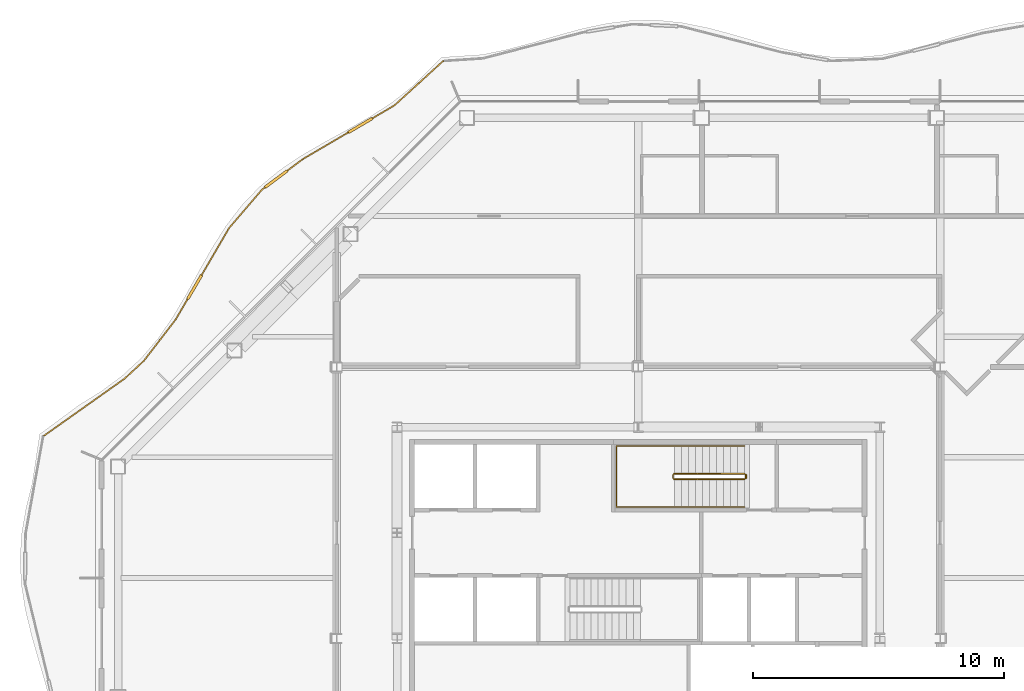
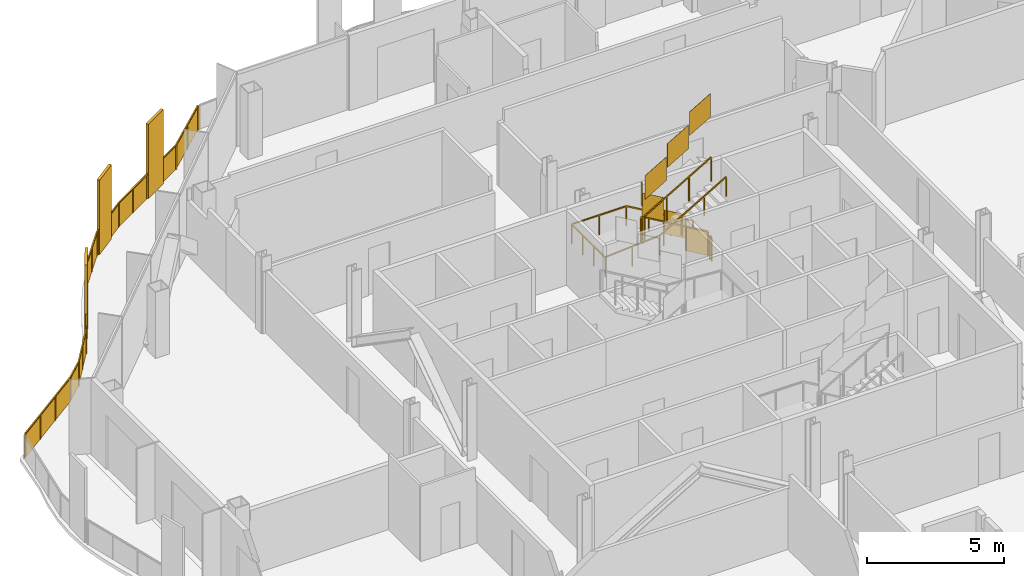
# One storey, part 18 of 19: 4 railings.
"""IFC4 building model written with IfcOpenShell, lengths in metres."""

from ifc_helpers import new_model, si_unit, direction, frame, origin, origin_2d, place, context, subcontext, project, spatial, polyline, rectangle, outline, extrude, material, type_object, element, save


model = new_model("IFC4")

# Units and contexts
model_context = context("Model", 3, precision=1e-05, world=origin(), true_north=direction((0.0, 1.0)))
body_context = subcontext(model_context, "Body", "Model", "MODEL_VIEW")
ifc_project = project(units=[si_unit("LENGTHUNIT", "METRE"), si_unit("AREAUNIT", "SQUARE_METRE"), si_unit("VOLUMEUNIT", "CUBIC_METRE"), si_unit("PLANEANGLEUNIT", "RADIAN"), si_unit("MASSUNIT", "GRAM", prefix="KILO")], contexts=[model_context])

# Site, building, storey
site_placement = place(None, origin())
site = spatial("IfcSite", under=ifc_project, at=site_placement, CompositionType="ELEMENT")
building_placement = place(site_placement, origin())
building = spatial("IfcBuilding", under=site, at=building_placement, Name="Cairn Pilgrim Tower", CompositionType="ELEMENT")
storey_placement = place(building_placement, frame((0.0, 0.0, 201.0)))
storey = spatial("IfcBuildingStorey", under=building, at=storey_placement, Name="L51", CompositionType="ELEMENT", Elevation=201.0)

# Railings
ifc_material_1 = material(Name="Bronze anodised aluminium rail, posts and fin screens with laminated glass infill", Category="aluminium")
railing_type_1 = type_object("IfcRailingType", Name="BALCONY GUARD WITH FIN SCREENS", PredefinedType="GUARDRAIL", material=ifc_material_1)
railing_1_placement = place(storey_placement, frame((-0.564453125, 25.36669921875, 0.0)))
element("IfcRailing", 1, at=railing_1_placement, inside=storey, type_object=railing_type_1, Name="Balcony guard BGF-6 with fin screens", PredefinedType="GUARDRAIL", context=body_context, shape_type="SweptSolid", body=[
    extrude(rectangle(XDim=0.050048828125, YDim=0.050048828125, at=origin_2d()), frame((0.0, 0.0, 1.0751953125), z_axis=(-0.739347334397, -0.673324230308, 0.0), x_axis=(0.673324230308, -0.739347334397, 0.0)), (0.0, 0.0, 1.0), 2.629150390625),
    extrude(rectangle(XDim=1.10009765625, YDim=0.110107421875, at=origin_2d()), frame((-3.29833984375, -2.564208984375, 0.0), z_axis=(0.0, 0.0, 1.0), x_axis=(-0.862710164716, -0.505698696553, 0.0)), (0.0, 0.0, 1.0), 3.300048828125),
    extrude(rectangle(XDim=0.050048828125, YDim=0.050048828125, at=origin_2d()), frame((-1.94384765625, -1.770263671875, 1.0751953125), z_axis=(-0.862710164716, -0.505698696553, 0.0), x_axis=(0.505698696553, -0.862710164716, 0.0)), (0.0, 0.0, 1.0), 1.02001953125),
    extrude(rectangle(XDim=0.050048828125, YDim=0.050048828125, at=origin_2d()), frame((-3.772705078125, -2.84228515625, 1.0751953125), z_axis=(-0.862710164716, -0.505698696553, 0.0), x_axis=(0.505698696553, -0.862710164716, 0.0)), (0.0, 0.0, 1.0), 2.0966796875),
    extrude(rectangle(XDim=1.10009765625, YDim=0.110107421875, at=origin_2d()), frame((-6.64892578125, -4.70068359375, 0.0), z_axis=(0.0, 0.0, 1.0), x_axis=(-0.800863929191, -0.598846363369, 0.0)), (0.0, 0.0, 1.0), 3.300048828125),
    extrude(rectangle(XDim=0.050048828125, YDim=0.050048828125, at=origin_2d()), frame((-5.58154296875, -3.902587890625, 1.0751953125), z_axis=(-0.800863929191, -0.598846363369, 0.0), x_axis=(0.598846363369, -0.800863929191, 0.0)), (0.0, 0.0, 1.0), 0.78271484375),
    extrude(rectangle(XDim=0.050048828125, YDim=0.050048828125, at=origin_2d()), frame((-7.08935546875, -5.030029296875, 1.0751953125), z_axis=(-0.800863929191, -0.598846363369, 0.0), x_axis=(0.598846363369, -0.800863929191, 0.0)), (0.0, 0.0, 1.0), 0.150146484375),
    extrude(rectangle(XDim=0.050048828125, YDim=0.050048828125, at=origin_2d()), frame((-7.20947265625, -5.119873046875, 1.0751953125), z_axis=(-0.650661475713, -0.759367924015, 0.0), x_axis=(0.759367924015, -0.650661475713, 0.0)), (0.0, 0.0, 1.0), 2.01220703125),
    extrude(rectangle(XDim=1.10009765625, YDim=0.110107421875, at=origin_2d()), frame((-9.890380859375, -8.99755859375, 0.0), z_axis=(0.0, 0.0, 1.0), x_axis=(-0.504141594648, -0.863621012103, 0.0)), (0.0, 0.0, 1.0), 3.300048828125),
    extrude(rectangle(XDim=0.050048828125, YDim=0.050048828125, at=origin_2d()), frame((-8.518798828125, -6.64794921875, 1.0751953125), z_axis=(-0.504141594648, -0.863621012103, 0.0), x_axis=(0.863621012103, -0.504141594648, 0.0)), (0.0, 0.0, 1.0), 2.170654296875),
    extrude(rectangle(XDim=0.050048828125, YDim=0.050048828125, at=origin_2d()), frame((-10.167724609375, -9.47265625, 1.0751953125), z_axis=(-0.504141594648, -0.863621012103, 0.0), x_axis=(0.863621012103, -0.504141594648, 0.0)), (0.0, 0.0, 1.0), 0.9365234375),
    extrude(rectangle(XDim=0.050048828125, YDim=0.050048828125, at=origin_2d()), frame((-10.639892578125, -10.281494140625, 1.0751953125), z_axis=(-0.610057419706, -0.792357207742, 0.0), x_axis=(0.792357207742, -0.610057419706, 0.0)), (0.0, 0.0, 1.0), 2.07568359375),
    extrude(rectangle(XDim=0.050048828125, YDim=0.050048828125, at=origin_2d()), frame((-11.90625, -11.92626953125, 1.0751953125), z_axis=(-0.733327659899, -0.679875388014, 0.0), x_axis=(0.679875388014, -0.733327659899, 0.0)), (0.0, 0.0, 1.0), 1.041259765625),
    extrude(rectangle(XDim=0.050048828125, YDim=0.050048828125, at=origin_2d()), frame((-12.669921875, -12.63427734375, 1.0751953125), z_axis=(-0.816041617773, -0.577993147072, 0.0), x_axis=(0.577993147072, -0.816041617773, 0.0)), (0.0, 0.0, 1.0), 3.919921875),
    extrude(rectangle(XDim=0.050048828125, YDim=0.050048828125, at=origin_2d()), origin(), (0.0, 0.0, 1.0), 1.050048828125),
    extrude(rectangle(XDim=0.050048828125, YDim=0.050048828125, at=origin_2d()), frame((-0.971923828125, -0.885009765625, 0.0)), (0.0, 0.0, 1.0), 1.050048828125),
    extrude(rectangle(XDim=0.050048828125, YDim=0.050048828125, at=origin_2d()), frame((-1.94384765625, -1.770263671875, 0.0)), (0.0, 0.0, 1.0), 1.050048828125),
    extrude(rectangle(XDim=0.050048828125, YDim=0.050048828125, at=origin_2d()), frame((-2.80224609375, -2.2734375, 0.0)), (0.0, 0.0, 1.0), 1.050048828125),
    extrude(rectangle(XDim=0.050048828125, YDim=0.050048828125, at=origin_2d()), frame((-3.79443359375, -2.85498046875, 0.0)), (0.0, 0.0, 1.0), 1.050048828125),
    extrude(rectangle(XDim=0.050048828125, YDim=0.050048828125, at=origin_2d()), frame((-4.68798828125, -3.378662109375, 0.0)), (0.0, 0.0, 1.0), 1.050048828125),
    extrude(rectangle(XDim=0.050048828125, YDim=0.050048828125, at=origin_2d()), frame((-5.58154296875, -3.902587890625, 0.0)), (0.0, 0.0, 1.0), 1.050048828125),
    extrude(rectangle(XDim=0.050048828125, YDim=0.050048828125, at=origin_2d()), frame((-6.188232421875, -4.356201171875, 0.0)), (0.0, 0.0, 1.0), 1.050048828125),
    extrude(rectangle(XDim=0.050048828125, YDim=0.050048828125, at=origin_2d()), frame((-7.109375, -5.044921875, 0.0)), (0.0, 0.0, 1.0), 1.050048828125),
    extrude(rectangle(XDim=0.050048828125, YDim=0.050048828125, at=origin_2d()), frame((-7.20947265625, -5.119873046875, 0.0)), (0.0, 0.0, 1.0), 1.050048828125),
    extrude(rectangle(XDim=0.050048828125, YDim=0.050048828125, at=origin_2d()), frame((-7.8642578125, -5.8837890625, 0.0)), (0.0, 0.0, 1.0), 1.050048828125),
    extrude(rectangle(XDim=0.050048828125, YDim=0.050048828125, at=origin_2d()), frame((-8.518798828125, -6.64794921875, 0.0)), (0.0, 0.0, 1.0), 1.050048828125),
    extrude(rectangle(XDim=0.050048828125, YDim=0.050048828125, at=origin_2d()), frame((-9.0595703125, -7.574462890625, 0.0)), (0.0, 0.0, 1.0), 1.050048828125),
    extrude(rectangle(XDim=0.050048828125, YDim=0.050048828125, at=origin_2d()), frame((-9.6005859375, -8.5009765625, 0.0)), (0.0, 0.0, 1.0), 1.050048828125),
    extrude(rectangle(XDim=0.050048828125, YDim=0.050048828125, at=origin_2d()), frame((-10.180419921875, -9.494140625, 0.0)), (0.0, 0.0, 1.0), 1.050048828125),
    extrude(rectangle(XDim=0.050048828125, YDim=0.050048828125, at=origin_2d()), frame((-10.639892578125, -10.281494140625, 0.0)), (0.0, 0.0, 1.0), 1.050048828125),
    extrude(rectangle(XDim=0.050048828125, YDim=0.050048828125, at=origin_2d()), frame((-11.27294921875, -11.10400390625, 0.0)), (0.0, 0.0, 1.0), 1.050048828125),
    extrude(rectangle(XDim=0.050048828125, YDim=0.050048828125, at=origin_2d()), frame((-11.90625, -11.92626953125, 0.0)), (0.0, 0.0, 1.0), 1.050048828125),
    extrude(rectangle(XDim=0.050048828125, YDim=0.050048828125, at=origin_2d()), frame((-12.669921875, -12.63427734375, 0.0)), (0.0, 0.0, 1.0), 1.050048828125),
    extrude(rectangle(XDim=0.050048828125, YDim=0.050048828125, at=origin_2d()), frame((-13.736083984375, -13.389404296875, 0.0)), (0.0, 0.0, 1.0), 1.050048828125),
    extrude(rectangle(XDim=0.050048828125, YDim=0.050048828125, at=origin_2d()), frame((-14.802490234375, -14.144775390625, 0.0)), (0.0, 0.0, 1.0), 1.050048828125),
    extrude(rectangle(XDim=0.050048828125, YDim=0.050048828125, at=origin_2d()), frame((-15.86865234375, -14.89990234375, 0.0)), (0.0, 0.0, 1.0), 1.050048828125),
    extrude(outline(polyline([(0.02490234375, 0.0), (1.28955078125, 0.0), (1.28955078125, 1.050048828125), (0.02490234375, 1.050048828125), (0.02490234375, 0.0)])), frame((0.00390625, -0.00439453125, 0.0), z_axis=(-0.673324230308, 0.739347334397, 0.0), x_axis=(-0.739347334397, -0.673324230308, 0.0)), (0.0, 0.0, 1.0), 0.011962890625),
    extrude(outline(polyline([(0.02490234375, 0.0), (1.28955078125, 0.0), (1.28955078125, 1.050048828125), (0.02490234375, 1.050048828125), (0.02490234375, 0.0)])), frame((-0.968017578125, -0.8896484375, 0.0), z_axis=(-0.673324230308, 0.739347334397, 0.0), x_axis=(-0.739347334397, -0.673324230308, 0.0)), (0.0, 0.0, 1.0), 0.011962890625),
    extrude(outline(polyline([(0.02490234375, 0.0), (0.969970703125, 0.0), (0.969970703125, 1.050048828125), (0.02490234375, 1.050048828125), (0.02490234375, 0.0)])), frame((-1.94091796875, -1.775390625, 0.0), z_axis=(-0.505698696553, 0.862710164716, 0.0), x_axis=(-0.862710164716, -0.505698696553, 0.0)), (0.0, 0.0, 1.0), 0.011962890625),
    extrude(outline(polyline([(0.02490234375, 0.0), (1.0107421875, 0.0), (1.0107421875, 1.050048828125), (0.02490234375, 1.050048828125), (0.02490234375, 0.0)])), frame((-3.791259765625, -2.860107421875, 0.0), z_axis=(-0.505698696553, 0.862710164716, 0.0), x_axis=(-0.862710164716, -0.505698696553, 0.0)), (0.0, 0.0, 1.0), 0.011962890625),
    extrude(outline(polyline([(0.02490234375, 0.0), (1.0107421875, 0.0), (1.0107421875, 1.050048828125), (0.02490234375, 1.050048828125), (0.02490234375, 0.0)])), frame((-4.684814453125, -3.384033203125, 0.0), z_axis=(-0.505698696553, 0.862710164716, 0.0), x_axis=(-0.862710164716, -0.505698696553, 0.0)), (0.0, 0.0, 1.0), 0.011962890625),
    extrude(outline(polyline([(0.02490234375, 0.0), (0.732666015625, 0.0), (0.732666015625, 1.050048828125), (0.02490234375, 1.050048828125), (0.02490234375, 0.0)])), frame((-5.577880859375, -3.907470703125, 0.0), z_axis=(-0.598846363369, 0.800863929191, 0.0), x_axis=(-0.800863929191, -0.598846363369, 0.0)), (0.0, 0.0, 1.0), 0.011962890625),
    extrude(outline(polyline([(0.02490234375, 0.0), (0.10009765625, 0.0), (0.10009765625, 1.050048828125), (0.02490234375, 1.050048828125), (0.02490234375, 0.0)])), frame((-7.105712890625, -5.0498046875, 0.0), z_axis=(-0.598846363369, 0.800863929191, 0.0), x_axis=(-0.800863929191, -0.598846363369, 0.0)), (0.0, 0.0, 1.0), 0.011962890625),
    extrude(outline(polyline([(0.02490234375, 0.0), (0.981201171875, 0.0), (0.981201171875, 1.050048828125), (0.02490234375, 1.050048828125), (0.02490234375, 0.0)])), frame((-7.204833984375, -5.123779296875, 0.0), z_axis=(-0.759367924015, 0.650661475713, 0.0), x_axis=(-0.650661475713, -0.759367924015, 0.0)), (0.0, 0.0, 1.0), 0.011962890625),
    extrude(outline(polyline([(0.02490234375, 0.0), (0.981201171875, 0.0), (0.981201171875, 1.050048828125), (0.02490234375, 1.050048828125), (0.02490234375, 0.0)])), frame((-7.859619140625, -5.8876953125, 0.0), z_axis=(-0.759367924015, 0.650661475713, 0.0), x_axis=(-0.650661475713, -0.759367924015, 0.0)), (0.0, 0.0, 1.0), 0.011962890625),
    extrude(outline(polyline([(0.02490234375, 0.0), (1.0478515625, 0.0), (1.0478515625, 1.050048828125), (0.02490234375, 1.050048828125), (0.02490234375, 0.0)])), frame((-8.513671875, -6.65087890625, 0.0), z_axis=(-0.863621012103, 0.504141594648, 0.0), x_axis=(-0.504141594648, -0.863621012103, 0.0)), (0.0, 0.0, 1.0), 0.011962890625),
    extrude(outline(polyline([(0.02490234375, 0.0), (1.0478515625, 0.0), (1.0478515625, 1.050048828125), (0.02490234375, 1.050048828125), (0.02490234375, 0.0)])), frame((-9.054443359375, -7.577392578125, 0.0), z_axis=(-0.863621012103, 0.504141594648, 0.0), x_axis=(-0.504141594648, -0.863621012103, 0.0)), (0.0, 0.0, 1.0), 0.011962890625),
    extrude(outline(polyline([(0.02490234375, 0.0), (0.886474609375, 0.0), (0.886474609375, 1.050048828125), (0.02490234375, 1.050048828125), (0.02490234375, 0.0)])), frame((-10.17529296875, -9.497314453125, 0.0), z_axis=(-0.863621012103, 0.504141594648, 0.0), x_axis=(-0.504141594648, -0.863621012103, 0.0)), (0.0, 0.0, 1.0), 0.011962890625),
    extrude(outline(polyline([(0.02490234375, 0.0), (1.012939453125, 0.0), (1.012939453125, 1.050048828125), (0.02490234375, 1.050048828125), (0.02490234375, 0.0)])), frame((-10.63525390625, -10.28515625, 0.0), z_axis=(-0.792357207742, 0.610057419706, 0.0), x_axis=(-0.610057419706, -0.792357207742, 0.0)), (0.0, 0.0, 1.0), 0.011962890625),
    extrude(outline(polyline([(0.02490234375, 0.0), (1.012939453125, 0.0), (1.012939453125, 1.050048828125), (0.02490234375, 1.050048828125), (0.02490234375, 0.0)])), frame((-11.268310546875, -11.107421875, 0.0), z_axis=(-0.792357207742, 0.610057419706, 0.0), x_axis=(-0.610057419706, -0.792357207742, 0.0)), (0.0, 0.0, 1.0), 0.011962890625),
    extrude(outline(polyline([(0.02490234375, 0.0), (1.016357421875, 0.0), (1.016357421875, 1.050048828125), (0.02490234375, 1.050048828125), (0.02490234375, 0.0)])), frame((-11.902099609375, -11.9306640625, 0.0), z_axis=(-0.679875388014, 0.733327659899, 0.0), x_axis=(-0.733327659899, -0.679875388014, 0.0)), (0.0, 0.0, 1.0), 0.011962890625),
    extrude(outline(polyline([(0.02490234375, 0.0), (1.281494140625, 0.0), (1.281494140625, 1.050048828125), (0.02490234375, 1.050048828125), (0.02490234375, 0.0)])), frame((-12.66650390625, -12.63916015625, 0.0), z_axis=(-0.577993147072, 0.816041617773, 0.0), x_axis=(-0.816041617773, -0.577993147072, 0.0)), (0.0, 0.0, 1.0), 0.011962890625),
    extrude(outline(polyline([(0.02490234375, 0.0), (1.281494140625, 0.0), (1.281494140625, 1.050048828125), (0.02490234375, 1.050048828125), (0.02490234375, 0.0)])), frame((-13.732666015625, -13.394287109375, 0.0), z_axis=(-0.577993147072, 0.816041617773, 0.0), x_axis=(-0.816041617773, -0.577993147072, 0.0)), (0.0, 0.0, 1.0), 0.011962890625),
    extrude(outline(polyline([(0.02490234375, 0.0), (1.281494140625, 0.0), (1.281494140625, 1.050048828125), (0.02490234375, 1.050048828125), (0.02490234375, 0.0)])), frame((-14.799072265625, -14.149658203125, 0.0), z_axis=(-0.577993147072, 0.816041617773, 0.0), x_axis=(-0.816041617773, -0.577993147072, 0.0)), (0.0, 0.0, 1.0), 0.011962890625),
])
ifc_material_2 = material(Name="Painted steel", Category="steel")
railing_type_2 = type_object("IfcRailingType", Name="STAIR GUARD 1100", PredefinedType="GUARDRAIL", material=ifc_material_2)
railing_2_placement = place(storey_placement, frame((11.425048828125, 8.949951171875, 0.16357421875)))
element("IfcRailing", 2, at=railing_2_placement, inside=storey, type_object=railing_type_2, Name="L51 ST-C stair guard 1", PredefinedType="GUARDRAIL", context=body_context, shape_type="SweptSolid", body=[
    extrude(rectangle(XDim=0.048095703125, YDim=0.048095703125, at=origin_2d()), frame((0.0, 0.0, 1.076171875), z_axis=(-0.863360870873, 0.0, 0.504586966384), x_axis=(0.0, -1.0, 0.0)), (0.0, 0.0, 1.0), 3.2431640625),
    extrude(rectangle(XDim=0.048095703125, YDim=0.048095703125, at=origin_2d()), frame((-2.800048828125, 0.0, 2.71240234375), z_axis=(-0.707106781187, -0.707106781187, 0.0), x_axis=(0.707106781187, -0.707106781187, 0.0)), (0.0, 0.0, 1.0), 0.07080078125),
    extrude(rectangle(XDim=0.048095703125, YDim=0.048095703125, at=origin_2d()), frame((-2.85009765625, -0.050048828125, 2.71240234375), z_axis=(0.0, -1.0, 0.0), x_axis=(1.0, 0.0, 0.0)), (0.0, 0.0, 1.0), 0.125),
    extrude(rectangle(XDim=0.048095703125, YDim=0.048095703125, at=origin_2d()), frame((-2.85009765625, -0.175048828125, 2.71240234375), z_axis=(0.280916556609, -0.279546231943, 0.91811752648), x_axis=(0.705375805398, 0.708833529934, 0.0)), (0.0, 0.0, 1.0), 0.17822265625),
    extrude(rectangle(XDim=0.048095703125, YDim=0.048095703125, at=origin_2d()), frame((-2.800048828125, -0.224853515625, 2.8759765625), z_axis=(0.863360870873, 0.0, 0.504586966384), x_axis=(0.0, 1.0, 0.0)), (0.0, 0.0, 1.0), 3.2431640625),
    extrude(rectangle(XDim=0.0419921875, YDim=0.0419921875, at=origin_2d()), origin(), (0.0, 0.0, 1.0), 1.052001953125),
    extrude(rectangle(XDim=0.0419921875, YDim=0.0419921875, at=origin_2d()), frame((-0.933349609375, 0.0, 0.54541015625)), (0.0, 0.0, 1.0), 1.052001953125),
    extrude(rectangle(XDim=0.0419921875, YDim=0.0419921875, at=origin_2d()), frame((-1.86669921875, 0.0, 1.091064453125)), (0.0, 0.0, 1.0), 1.052001953125),
    extrude(rectangle(XDim=0.0419921875, YDim=0.0419921875, at=origin_2d()), frame((-2.800048828125, 0.0, 1.636474609375)), (0.0, 0.0, 1.0), 1.052001953125),
    extrude(rectangle(XDim=0.0419921875, YDim=0.0419921875, at=origin_2d()), frame((-2.85009765625, -0.050048828125, 1.636474609375)), (0.0, 0.0, 1.0), 1.052001953125),
    extrude(rectangle(XDim=0.0419921875, YDim=0.0419921875, at=origin_2d()), frame((-2.85009765625, -0.175048828125, 1.636474609375)), (0.0, 0.0, 1.0), 1.052001953125),
    extrude(rectangle(XDim=0.0419921875, YDim=0.0419921875, at=origin_2d()), frame((-2.800048828125, -0.224853515625, 1.800048828125)), (0.0, 0.0, 1.0), 1.052001953125),
    extrude(rectangle(XDim=0.0419921875, YDim=0.0419921875, at=origin_2d()), frame((-1.86669921875, -0.224853515625, 2.345458984375)), (0.0, 0.0, 1.0), 1.052001953125),
    extrude(rectangle(XDim=0.0419921875, YDim=0.0419921875, at=origin_2d()), frame((-0.933349609375, -0.224853515625, 2.89111328125)), (0.0, 0.0, 1.0), 1.052001953125),
    extrude(rectangle(XDim=0.0419921875, YDim=0.0419921875, at=origin_2d()), frame((0.0, -0.224853515625, 3.4365234375)), (0.0, 0.0, 1.0), 1.052001953125),
    extrude(outline(polyline([(0.02099609375, 0.01220703125), (0.912353515625, 0.533203125), (0.912353515625, 1.585205078125), (0.02099609375, 1.064208984375), (0.02099609375, 0.01220703125)])), frame((0.0, -0.005859375, 0.0), z_axis=(0.0, 1.0, 0.0), x_axis=(-1.0, 0.0, 0.0)), (0.0, 0.0, 1.0), 0.011962890625),
    extrude(outline(polyline([(0.02099609375, 0.557861328125), (0.912353515625, 1.07861328125), (0.912353515625, 2.130615234375), (0.02099609375, 1.60986328125), (0.02099609375, 0.557861328125)])), frame((-0.933349609375, -0.005859375, 0.54541015625), z_axis=(0.0, 1.0, 0.0), x_axis=(-1.0, 0.0, 0.0)), (0.0, 0.0, 1.0), 0.011962890625),
    extrude(outline(polyline([(0.02099609375, 1.103271484375), (0.912353515625, 1.624267578125), (0.912353515625, 2.67626953125), (0.02099609375, 2.1552734375), (0.02099609375, 1.103271484375)])), frame((-1.86669921875, -0.005859375, 1.091064453125), z_axis=(0.0, 1.0, 0.0), x_axis=(-1.0, 0.0, 0.0)), (0.0, 0.0, 1.0), 0.011962890625),
    extrude(outline(polyline([(0.02099609375, 1.636474609375), (0.10400390625, 1.636474609375), (0.10400390625, 2.6884765625), (0.02099609375, 2.6884765625), (0.02099609375, 1.636474609375)])), frame((-2.84423828125, -0.050048828125, 1.636474609375), z_axis=(-1.0, 0.0, 0.0), x_axis=(0.0, -1.0, 0.0)), (0.0, 0.0, 1.0), 0.011962890625),
    extrude(outline(polyline([(0.02099609375, 1.812255859375), (0.912353515625, 2.333251953125), (0.912353515625, 3.38525390625), (0.02099609375, 2.8642578125), (0.02099609375, 1.812255859375)])), frame((-2.800048828125, -0.21875, 1.800048828125), z_axis=(0.0, -1.0, 0.0), x_axis=(1.0, 0.0, 0.0)), (0.0, 0.0, 1.0), 0.011962890625),
    extrude(outline(polyline([(0.02099609375, 2.35791015625), (0.912353515625, 2.878662109375), (0.912353515625, 3.9306640625), (0.02099609375, 3.409912109375), (0.02099609375, 2.35791015625)])), frame((-1.86669921875, -0.21875, 2.345458984375), z_axis=(0.0, -1.0, 0.0), x_axis=(1.0, 0.0, 0.0)), (0.0, 0.0, 1.0), 0.011962890625),
    extrude(outline(polyline([(0.02099609375, 2.9033203125), (0.912353515625, 3.42431640625), (0.912353515625, 4.476318359375), (0.02099609375, 3.955322265625), (0.02099609375, 2.9033203125)])), frame((-0.933349609375, -0.21875, 2.89111328125), z_axis=(0.0, -1.0, 0.0), x_axis=(1.0, 0.0, 0.0)), (0.0, 0.0, 1.0), 0.011962890625),
])
railing_3_placement = place(storey_placement, frame((11.47509765625, 8.89990234375, 0.0)))
element("IfcRailing", 3, at=railing_3_placement, inside=storey, type_object=railing_type_2, Name="L51 ST-C stair guard 2", PredefinedType="GUARDRAIL", context=body_context, shape_type="SweptSolid", body=[
    extrude(rectangle(XDim=0.048095703125, YDim=0.048095703125, at=origin_2d()), frame((0.0, 0.0, 1.076171875), z_axis=(0.0, -1.0, 0.0), x_axis=(1.0, 0.0, 0.0)), (0.0, 0.0, 1.0), 0.125),
    extrude(rectangle(XDim=0.0419921875, YDim=0.0419921875, at=origin_2d()), origin(), (0.0, 0.0, 1.0), 1.052001953125),
    extrude(rectangle(XDim=0.0419921875, YDim=0.0419921875, at=origin_2d()), frame((0.0, -0.125, 0.0)), (0.0, 0.0, 1.0), 1.052001953125),
    extrude(outline(polyline([(0.02099609375, 0.0), (0.10400390625, 0.0), (0.10400390625, 1.052001953125), (0.02099609375, 1.052001953125), (0.02099609375, 0.0)])), frame((0.005859375, 0.0, 0.0), z_axis=(-1.0, 0.0, 0.0), x_axis=(0.0, -1.0, 0.0)), (0.0, 0.0, 1.0), 0.011962890625),
])
railing_type_3 = type_object("IfcRailingType", Name="STAIR HANDRAIL 900", PredefinedType="HANDRAIL", material=ifc_material_2)
railing_4_placement = place(storey_placement, frame((11.425048828125, 10.050048828125, 0.16357421875)))
element("IfcRailing", 4, at=railing_4_placement, inside=storey, type_object=railing_type_3, Name="L51 ST-C stair handrail 1", PredefinedType="HANDRAIL", context=body_context, shape_type="SweptSolid", body=[
    extrude(rectangle(XDim=0.048095703125, YDim=0.048095703125, at=origin_2d()), frame((0.0, 0.0, 0.8759765625), z_axis=(-0.863360870873, 0.0, 0.504586966384), x_axis=(0.0, -1.0, 0.0)), (0.0, 0.0, 1.0), 3.2431640625),
    extrude(rectangle(XDim=0.048095703125, YDim=0.048095703125, at=origin_2d()), frame((-2.800048828125, 0.0, 2.51220703125), z_axis=(-1.0, 0.0, 0.0), x_axis=(0.0, -1.0, 0.0)), (0.0, 0.0, 1.0), 2.300048828125),
    extrude(rectangle(XDim=0.048095703125, YDim=0.048095703125, at=origin_2d()), frame((-5.10009765625, 0.0, 2.51220703125), z_axis=(0.0, -1.0, 0.0), x_axis=(1.0, 0.0, 0.0)), (0.0, 0.0, 1.0), 2.425048828125),
    extrude(rectangle(XDim=0.048095703125, YDim=0.048095703125, at=origin_2d()), frame((-5.10009765625, -2.425048828125, 2.51220703125), z_axis=(0.997480687736, 0.0, 0.070938548008), x_axis=(0.0, 1.0, 0.0)), (0.0, 0.0, 1.0), 2.305908203125),
    extrude(rectangle(XDim=0.048095703125, YDim=0.048095703125, at=origin_2d()), frame((-2.800048828125, -2.425048828125, 2.67578125), z_axis=(0.863360870873, 0.0, 0.504586966384), x_axis=(0.0, 1.0, 0.0)), (0.0, 0.0, 1.0), 3.2431640625),
    extrude(rectangle(XDim=0.0419921875, YDim=0.0419921875, at=origin_2d()), origin(), (0.0, 0.0, 1.0), 0.851806640625),
    extrude(rectangle(XDim=0.0419921875, YDim=0.0419921875, at=origin_2d()), frame((-0.933349609375, 0.0, 0.54541015625)), (0.0, 0.0, 1.0), 0.851806640625),
    extrude(rectangle(XDim=0.0419921875, YDim=0.0419921875, at=origin_2d()), frame((-1.86669921875, 0.0, 1.091064453125)), (0.0, 0.0, 1.0), 0.851806640625),
    extrude(rectangle(XDim=0.0419921875, YDim=0.0419921875, at=origin_2d()), frame((-2.800048828125, 0.0, 1.636474609375)), (0.0, 0.0, 1.0), 0.851806640625),
    extrude(rectangle(XDim=0.0419921875, YDim=0.0419921875, at=origin_2d()), frame((-3.9501953125, 0.0, 1.636474609375)), (0.0, 0.0, 1.0), 0.851806640625),
    extrude(rectangle(XDim=0.0419921875, YDim=0.0419921875, at=origin_2d()), frame((-5.10009765625, 0.0, 1.636474609375)), (0.0, 0.0, 1.0), 0.851806640625),
    extrude(rectangle(XDim=0.0419921875, YDim=0.0419921875, at=origin_2d()), frame((-5.10009765625, -0.808349609375, 1.636474609375)), (0.0, 0.0, 1.0), 0.851806640625),
    extrude(rectangle(XDim=0.0419921875, YDim=0.0419921875, at=origin_2d()), frame((-5.10009765625, -1.61669921875, 1.636474609375)), (0.0, 0.0, 1.0), 0.851806640625),
    extrude(rectangle(XDim=0.0419921875, YDim=0.0419921875, at=origin_2d()), frame((-5.10009765625, -2.425048828125, 1.636474609375)), (0.0, 0.0, 1.0), 0.851806640625),
    extrude(rectangle(XDim=0.0419921875, YDim=0.0419921875, at=origin_2d()), frame((-3.9501953125, -2.425048828125, 1.71826171875)), (0.0, 0.0, 1.0), 0.851806640625),
    extrude(rectangle(XDim=0.0419921875, YDim=0.0419921875, at=origin_2d()), frame((-2.800048828125, -2.425048828125, 1.800048828125)), (0.0, 0.0, 1.0), 0.851806640625),
    extrude(rectangle(XDim=0.0419921875, YDim=0.0419921875, at=origin_2d()), frame((-1.86669921875, -2.425048828125, 2.345458984375)), (0.0, 0.0, 1.0), 0.851806640625),
    extrude(rectangle(XDim=0.0419921875, YDim=0.0419921875, at=origin_2d()), frame((-0.933349609375, -2.425048828125, 2.89111328125)), (0.0, 0.0, 1.0), 0.851806640625),
    extrude(rectangle(XDim=0.0419921875, YDim=0.0419921875, at=origin_2d()), frame((0.0, -2.425048828125, 3.4365234375)), (0.0, 0.0, 1.0), 0.851806640625),
])

save(model, "model.ifc")
